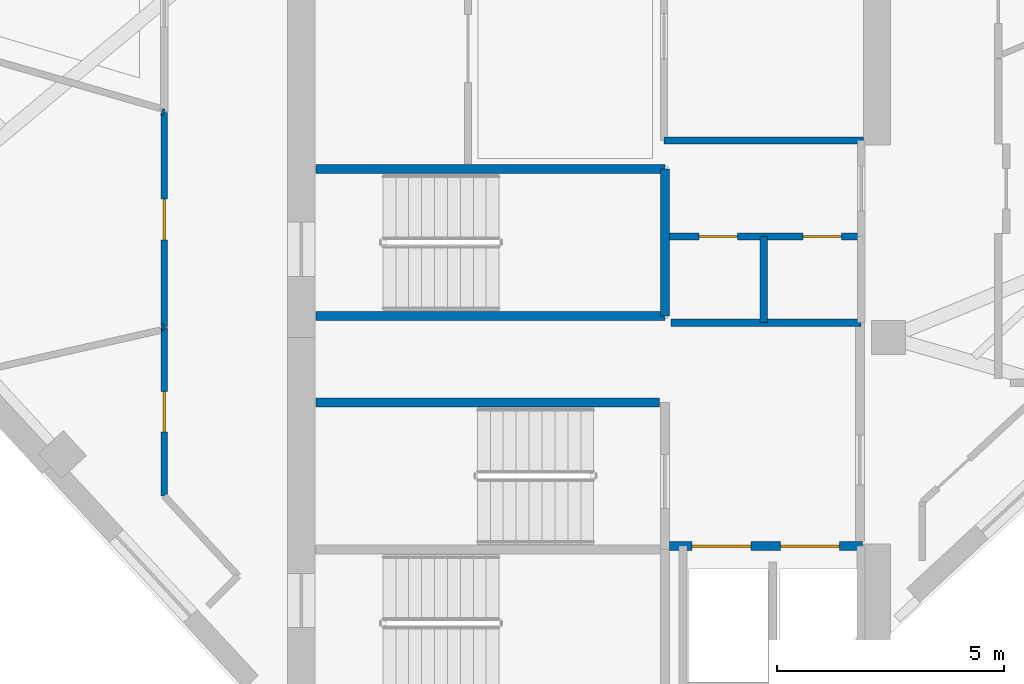
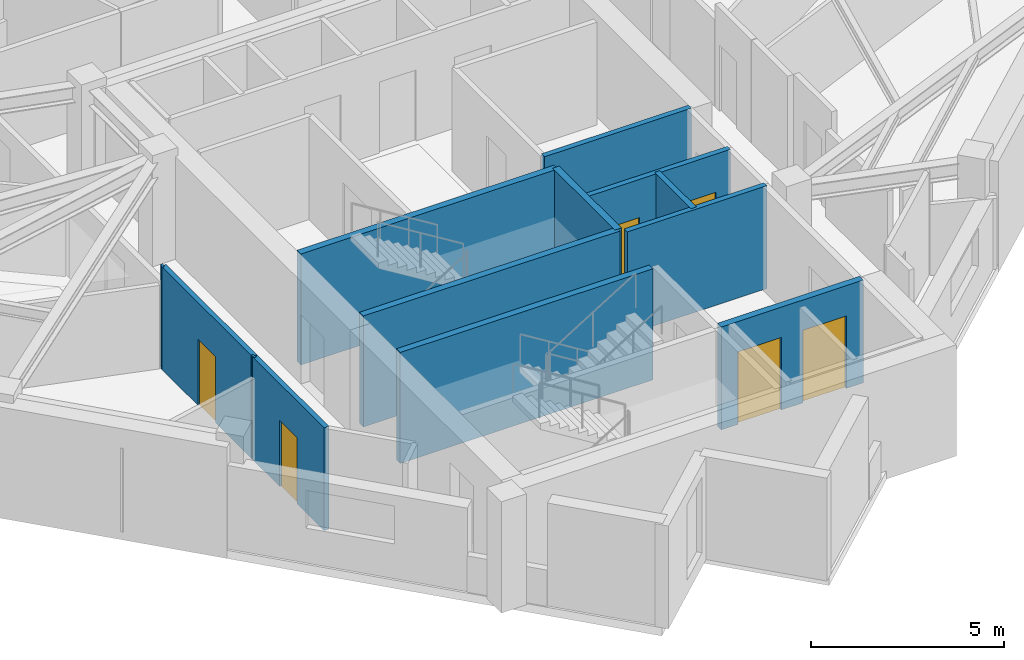
# One storey, part 8 of 13: 13 walls, 6 doors, 6 openings.
"""IFC4 building model written with IfcOpenShell, lengths in metres."""

from ifc_helpers import new_model, si_unit, direction, frame, frame_2d, origin, place, context, subcontext, project, spatial, rectangle, extrude, material, layer, layer_set, type_object, element, fill, save


model = new_model("IFC4")

# Units and contexts
model_context = context("Model", 3, precision=1e-05, world=origin(), true_north=direction((0.0, 1.0)))
body_context = subcontext(model_context, "Body", "Model", "MODEL_VIEW")
ifc_project = project(units=[si_unit("LENGTHUNIT", "METRE"), si_unit("AREAUNIT", "SQUARE_METRE"), si_unit("VOLUMEUNIT", "CUBIC_METRE"), si_unit("PLANEANGLEUNIT", "RADIAN"), si_unit("MASSUNIT", "GRAM", prefix="KILO")], contexts=[model_context])

# Site, building, storey
site_placement = place(None, origin())
site = spatial("IfcSite", under=ifc_project, at=site_placement, CompositionType="ELEMENT")
building_placement = place(site_placement, origin())
building = spatial("IfcBuilding", under=site, at=building_placement, Name="Narakoshi Arena Tower", CompositionType="ELEMENT")
storey_placement = place(building_placement, frame((0.0, 0.0, 281.860107421875)))
storey = spatial("IfcBuildingStorey", under=building, at=storey_placement, Name="L77", CompositionType="ELEMENT", Elevation=281.860107421875)

# Wall, openings, doors
ifc_material_1 = material(Name="Concrete C40/50", Category="concrete")
ifc_layer_1 = layer(ifc_material_1, 0.280029296875)
ifc_layer_set_1 = layer_set([ifc_layer_1], Name="Concrete C40/50")
wall_type_1 = type_object("IfcWallType", Name="WL-RISER-280", PredefinedType="PLUMBINGWALL", material=ifc_layer_set_1)
wall_1_placement = place(storey_placement, frame((80.719970703125, 45.580078125, 0.0), z_axis=(0.0, 0.0, 1.0), x_axis=(1.0, 0.0, 0.0)))
wall_1 = element("IfcWall", 1, at=wall_1_placement, inside=storey, type_object=wall_type_1, Name="L77 Core Wall RSR-N", PredefinedType="PLUMBINGWALL", context=body_context, shape_type="SweptSolid", body=[
    extrude(rectangle(XDim=4.22998046875, YDim=0.159912109375, at=frame_2d((2.114990234375, 0.0))), origin(), (0.0, 0.0, 1.0), 3.260009765625),
])
opening_1_placement = place(wall_1_placement, frame((0.64990234375, 0.0, 0.0)))
opening_1 = element("IfcOpeningElement", 2, at=opening_1_placement, cuts=wall_1, Name="Opening D-10", PredefinedType="OPENING", context=body_context, shape_type="SweptSolid", body=[
    extrude(rectangle(XDim=0.85009765625, YDim=2.050048828125, at=frame_2d((0.425048828125, 1.02490234375))), frame((0.0, 0.08984375, 0.0), z_axis=(0.0, -1.0, 0.0), x_axis=(1.0, 0.0, 0.0)), (0.0, 0.0, 1.0), 0.179931640625),
])
opening_2_placement = place(wall_1_placement, frame((2.949951171875, 0.0, 0.0)))
opening_2 = element("IfcOpeningElement", 3, at=opening_2_placement, cuts=wall_1, Name="Opening D-10", PredefinedType="OPENING", context=body_context, shape_type="SweptSolid", body=[
    extrude(rectangle(XDim=0.85009765625, YDim=2.050048828125, at=frame_2d((0.425048828125, 1.02490234375))), frame((0.0, 0.08984375, 0.0), z_axis=(0.0, -1.0, 0.0), x_axis=(1.0, 0.0, 0.0)), (0.0, 0.0, 1.0), 0.179931640625),
])
ifc_material_2 = material(Name="Painted galvanized steel", Category="steel")
door_type_1 = type_object("IfcDoorType", Name="DR-RSR-850", OperationType="NOTDEFINED", PredefinedType="DOOR", material=ifc_material_2)
door_1_placement = place(opening_1_placement, frame((0.85009765625, 0.0, 0.0), z_axis=(0.0, 0.0, 1.0), x_axis=(-1.0, 0.0, 0.0)))
door_1 = element("IfcDoor", 4, at=door_1_placement, inside=storey, type_object=door_type_1, Name="DR-L77-008", OperationType="SINGLE_SWING_LEFT", OverallHeight=2.050048828125, OverallWidth=0.85009765625, PredefinedType="DOOR", context=body_context, shape_type="SweptSolid", body=[
    extrude(rectangle(XDim=0.85009765625, YDim=2.050048828125, at=frame_2d((0.425048828125, 1.02490234375))), frame((0.0, 0.02490234375, 0.0), z_axis=(0.0, -1.0, 0.0), x_axis=(1.0, 0.0, 0.0)), (0.0, 0.0, 1.0), 0.050048828125),
])
fill(opening_1, door_1)
door_2_placement = place(opening_2_placement, frame((0.85009765625, 0.0, 0.0), z_axis=(0.0, 0.0, 1.0), x_axis=(-1.0, 0.0, 0.0)))
door_2 = element("IfcDoor", 5, at=door_2_placement, inside=storey, type_object=door_type_1, Name="DR-L77-009", OperationType="SINGLE_SWING_RIGHT", OverallHeight=2.050048828125, OverallWidth=0.85009765625, PredefinedType="DOOR", context=body_context, shape_type="SweptSolid", body=[
    extrude(rectangle(XDim=0.85009765625, YDim=2.050048828125, at=frame_2d((0.425048828125, 1.02490234375))), frame((0.0, 0.02490234375, 0.0), z_axis=(0.0, -1.0, 0.0), x_axis=(1.0, 0.0, 0.0)), (0.0, 0.0, 1.0), 0.050048828125),
])
fill(opening_2, door_2)

# Walls
wall_2_placement = place(storey_placement, frame((80.760009765625, 43.679931640625, 0.0), z_axis=(0.0, 0.0, 1.0), x_axis=(1.0, 0.0, 0.0)))
element("IfcWall", 6, at=wall_2_placement, inside=storey, type_object=wall_type_1, Name="L77 Core Wall RSR-S", PredefinedType="PLUMBINGWALL", context=body_context, shape_type="SweptSolid", body=[
    extrude(rectangle(XDim=4.18994140625, YDim=0.159912109375, at=frame_2d((2.094970703125, 0.0))), origin(), (0.0, 0.0, 1.0), 3.260009765625),
])
wall_3_placement = place(storey_placement, frame((82.800048828125, 43.679931640625, 0.0), z_axis=(0.0, 0.0, 1.0), x_axis=(0.0, 1.0, 0.0)))
element("IfcWall", 7, at=wall_3_placement, inside=storey, type_object=wall_type_1, Name="L77 Core Wall RSR-M", PredefinedType="PLUMBINGWALL", context=body_context, shape_type="SweptSolid", body=[
    extrude(rectangle(XDim=1.900146484375, YDim=0.159912109375, at=frame_2d((0.9501953125, 0.0))), origin(), (0.0, 0.0, 1.0), 3.260009765625),
])

# Wall, openings, doors
ifc_material_3 = material(Name="Concrete C50/60", Category="concrete")
ifc_layer_2 = layer(ifc_material_3, 0.35009765625)
ifc_layer_set_2 = layer_set([ifc_layer_2], Name="Concrete C50/60")
wall_type_2 = type_object("IfcWallType", Name="WL-SHAFT-350", PredefinedType="SOLIDWALL", material=ifc_layer_set_2)
wall_4_placement = place(storey_placement, frame((80.719970703125, 38.75, 0.0), z_axis=(0.0, 0.0, 1.0), x_axis=(1.0, 0.0, 0.0)))
wall_4 = element("IfcWall", 8, at=wall_4_placement, inside=storey, type_object=wall_type_2, Name="L77 Core Wall FF-N", PredefinedType="SOLIDWALL", context=body_context, shape_type="SweptSolid", body=[
    extrude(rectangle(XDim=4.260009765625, YDim=0.199951171875, at=frame_2d((2.1298828125, 0.0))), origin(), (0.0, 0.0, 1.0), 3.260009765625),
])
opening_3_placement = place(wall_4_placement, frame((0.5, 0.0, 0.0)))
opening_3 = element("IfcOpeningElement", 9, at=opening_3_placement, cuts=wall_4, Name="Opening LD-02", PredefinedType="OPENING", context=body_context, shape_type="SweptSolid", body=[
    extrude(rectangle(XDim=1.300048828125, YDim=2.300048828125, at=frame_2d((0.64990234375, 1.14990234375))), frame((0.0, 0.10986328125, 0.0), z_axis=(0.0, -1.0, 0.0), x_axis=(1.0, 0.0, 0.0)), (0.0, 0.0, 1.0), 0.219970703125),
])
opening_4_placement = place(wall_4_placement, frame((2.449951171875, 0.0, 0.0)))
opening_4 = element("IfcOpeningElement", 10, at=opening_4_placement, cuts=wall_4, Name="Opening LD-02", PredefinedType="OPENING", context=body_context, shape_type="SweptSolid", body=[
    extrude(rectangle(XDim=1.300048828125, YDim=2.300048828125, at=frame_2d((0.64990234375, 1.14990234375))), frame((0.0, 0.10986328125, 0.0), z_axis=(0.0, -1.0, 0.0), x_axis=(1.0, 0.0, 0.0)), (0.0, 0.0, 1.0), 0.219970703125),
])
ifc_material_4 = material(Name="Brushed bronze stainless steel", Category="steel")
door_type_2 = type_object("IfcDoorType", Name="DR-LFT-1300", OperationType="DOUBLE_DOOR_SLIDING", PredefinedType="DOOR", material=ifc_material_4)
door_3_placement = place(opening_3_placement, origin())
door_3 = element("IfcDoor", 11, at=door_3_placement, inside=storey, type_object=door_type_2, Name="DR-L77-003", OperationType="DOUBLE_DOOR_SLIDING", OverallHeight=2.300048828125, OverallWidth=1.300048828125, PredefinedType="DOOR", context=body_context, shape_type="SweptSolid", body=[
    extrude(rectangle(XDim=1.300048828125, YDim=2.300048828125, at=frame_2d((0.64990234375, 1.14990234375))), frame((0.0, 0.02490234375, 0.0), z_axis=(0.0, -1.0, 0.0), x_axis=(1.0, 0.0, 0.0)), (0.0, 0.0, 1.0), 0.050048828125),
])
fill(opening_3, door_3)
door_4_placement = place(opening_4_placement, origin())
door_4 = element("IfcDoor", 12, at=door_4_placement, inside=storey, type_object=door_type_2, Name="DR-L77-004", OperationType="DOUBLE_DOOR_SLIDING", OverallHeight=2.300048828125, OverallWidth=1.300048828125, PredefinedType="DOOR", context=body_context, shape_type="SweptSolid", body=[
    extrude(rectangle(XDim=1.300048828125, YDim=2.300048828125, at=frame_2d((0.64990234375, 1.14990234375))), frame((0.0, 0.02490234375, 0.0), z_axis=(0.0, -1.0, 0.0), x_axis=(1.0, 0.0, 0.0)), (0.0, 0.0, 1.0), 0.050048828125),
])
fill(opening_4, door_4)

# Walls
wall_5_placement = place(storey_placement, frame((72.919921875, 41.919921875, -0.260009765625), z_axis=(0.0, 0.0, 1.0), x_axis=(1.0, 0.0, 0.0)))
element("IfcWall", 13, at=wall_5_placement, inside=storey, type_object=wall_type_2, Name="L77 Core Wall ST2-N", PredefinedType="SOLIDWALL", context=body_context, shape_type="SweptSolid", body=[
    extrude(rectangle(XDim=7.580078125, YDim=0.199951171875, at=frame_2d((3.7900390625, 0.0))), origin(), (0.0, 0.0, 1.0), 3.52001953125),
])
for number, where, z_axis, x_axis, name in (
    (14, (72.919921875, 43.830078125, -0.260009765625), (0.0, 0.0, 1.0), (1.0, 0.0, 0.0), "L77 Core Wall ST3-S"),
    (15, (72.919921875, 47.070068359375, -0.260009765625), (0.0, 0.0, 1.0), (1.0, 0.0, 0.0), "L77 Core Wall ST3-N"),
):
    element("IfcWall", number, at=place(storey_placement, frame(where, z_axis=z_axis, x_axis=x_axis)), inside=storey, type_object=wall_type_2, Name=name, PredefinedType="SOLIDWALL", context=body_context, shape_type="SweptSolid", body=[
        extrude(rectangle(XDim=7.7001953125, YDim=0.199951171875, at=frame_2d((3.85009765625, 0.0))), origin(), (0.0, 0.0, 1.0), 3.52001953125),
    ])
wall_6_placement = place(storey_placement, frame((80.6201171875, 43.830078125, -0.260009765625), z_axis=(0.0, 0.0, 1.0), x_axis=(0.0, 1.0, 0.0)))
element("IfcWall", 16, at=wall_6_placement, inside=storey, type_object=wall_type_2, Name="L77 Core Wall ST3-E", PredefinedType="SOLIDWALL", context=body_context, shape_type="SweptSolid", body=[
    extrude(rectangle(XDim=3.239990234375, YDim=0.199951171875, at=frame_2d((1.6201171875, 0.0))), origin(), (0.0, 0.0, 1.0), 3.52001953125),
])
wall_7_placement = place(storey_placement, frame((80.60009765625, 47.699951171875, 0.0), z_axis=(0.0, 0.0, 1.0), x_axis=(1.0, 0.0, 0.0)))
element("IfcWall", 17, at=wall_7_placement, inside=storey, type_object=wall_type_2, Name="L77 Core Wall MR-S", PredefinedType="SOLIDWALL", context=body_context, shape_type="SweptSolid", body=[
    extrude(rectangle(XDim=4.39990234375, YDim=0.159912109375, at=frame_2d((2.199951171875, 0.0))), origin(), (0.0, 0.0, 1.0), 3.260009765625),
])

# Wall, opening, door
ifc_material_5 = material(Name="Moisture-resistant cement-board partition")
ifc_layer_3 = layer(ifc_material_5, 0.14501953125)
ifc_layer_set_3 = layer_set([ifc_layer_3], Name="Moisture-resistant cement-board partition")
wall_type_3 = type_object("IfcWallType", Name="WL-WET-145", PredefinedType="PARTITIONING", material=ifc_layer_set_3)
wall_8_placement = place(storey_placement, frame((69.577880859375, 43.568603515625, 0.0), z_axis=(0.0, 0.0, 1.0), x_axis=(0.0, -1.0, 0.0)))
wall_8 = element("IfcWall", 18, at=wall_8_placement, inside=storey, type_object=wall_type_3, Name="L77 Corridor Partition 01-1", PredefinedType="PARTITIONING", context=body_context, shape_type="SweptSolid", body=[
    extrude(rectangle(XDim=3.712158203125, YDim=0.14501953125, at=frame_2d((1.85595703125, 0.0))), origin(), (0.0, 0.0, 1.0), 3.260009765625),
])
opening_5_placement = place(wall_8_placement, frame((1.406005859375, 0.0, 0.0)))
opening_5 = element("IfcOpeningElement", 19, at=opening_5_placement, cuts=wall_8, Name="Opening D-08", PredefinedType="OPENING", context=body_context, shape_type="SweptSolid", body=[
    extrude(rectangle(XDim=0.89990234375, YDim=2.10009765625, at=frame_2d((0.449951171875, 1.050048828125))), frame((0.0, 0.08251953125, 0.0), z_axis=(0.0, -1.0, 0.0), x_axis=(1.0, 0.0, 0.0)), (0.0, 0.0, 1.0), 0.1650390625),
])
ifc_material_6 = material(Name="Moisture-resistant laminate timber", Category="wood")
door_type_3 = type_object("IfcDoorType", Name="DR-WC-900", OperationType="NOTDEFINED", PredefinedType="DOOR", material=ifc_material_6)
door_5_placement = place(opening_5_placement, frame((0.89990234375, 0.0, 0.0), z_axis=(0.0, 0.0, 1.0), x_axis=(-1.0, 0.0, 0.0)))
door_5 = element("IfcDoor", 20, at=door_5_placement, inside=storey, type_object=door_type_3, Name="DR-L77-015", OperationType="SINGLE_SWING_RIGHT", OverallHeight=2.10009765625, OverallWidth=0.89990234375, PredefinedType="DOOR", context=body_context, shape_type="SweptSolid", body=[
    extrude(rectangle(XDim=0.89990234375, YDim=2.10009765625, at=frame_2d((0.449951171875, 1.050048828125))), frame((0.0, 0.02490234375, 0.0), z_axis=(0.0, -1.0, 0.0), x_axis=(1.0, 0.0, 0.0)), (0.0, 0.0, 1.0), 0.050048828125),
])
fill(opening_5, door_5)

wall_9_placement = place(storey_placement, frame((69.577880859375, 48.31689453125, 0.0), z_axis=(0.0, 0.0, 1.0), x_axis=(0.0, -1.0, 0.0)))
wall_9 = element("IfcWall", 21, at=wall_9_placement, inside=storey, type_object=wall_type_3, Name="L77 Corridor Partition 09-1", PredefinedType="PARTITIONING", context=body_context, shape_type="SweptSolid", body=[
    extrude(rectangle(XDim=4.723876953125, YDim=0.14501953125, at=frame_2d((2.36181640625, 0.0))), origin(), (0.0, 0.0, 1.0), 3.260009765625),
])
opening_6_placement = place(wall_9_placement, frame((1.912109375, 0.0, 0.0)))
opening_6 = element("IfcOpeningElement", 22, at=opening_6_placement, cuts=wall_9, Name="Opening D-08", PredefinedType="OPENING", context=body_context, shape_type="SweptSolid", body=[
    extrude(rectangle(XDim=0.89990234375, YDim=2.10009765625, at=frame_2d((0.449951171875, 1.050048828125))), frame((0.0, 0.08251953125, 0.0), z_axis=(0.0, -1.0, 0.0), x_axis=(1.0, 0.0, 0.0)), (0.0, 0.0, 1.0), 0.1650390625),
])
door_6_placement = place(opening_6_placement, frame((0.89990234375, 0.0, 0.0), z_axis=(0.0, 0.0, 1.0), x_axis=(-1.0, 0.0, 0.0)))
door_6 = element("IfcDoor", 23, at=door_6_placement, inside=storey, type_object=door_type_3, Name="DR-L77-023", OperationType="SINGLE_SWING_RIGHT", OverallHeight=2.10009765625, OverallWidth=0.89990234375, PredefinedType="DOOR", context=body_context, shape_type="SweptSolid", body=[
    extrude(rectangle(XDim=0.89990234375, YDim=2.10009765625, at=frame_2d((0.449951171875, 1.050048828125))), frame((0.0, 0.02490234375, 0.0), z_axis=(0.0, -1.0, 0.0), x_axis=(1.0, 0.0, 0.0)), (0.0, 0.0, 1.0), 0.050048828125),
])
fill(opening_6, door_6)

# Walls
wall_10_placement = place(storey_placement, frame((69.517822265625, 48.334716796875, 0.0), z_axis=(0.0, 0.0, 1.0), x_axis=(0.95868008586, -0.284486366942, 0.0)))
element("IfcWall", 24, at=wall_10_placement, inside=storey, type_object=wall_type_3, Name="L77 Corridor Partition 09-2", PredefinedType="PARTITIONING", context=body_context, shape_type="SweptSolid", body=[
    extrude(rectangle(XDim=0.062744140625, YDim=0.14501953125, at=frame_2d((0.03125, 0.0))), origin(), (0.0, 0.0, 1.0), 3.260009765625),
])
wall_11_placement = place(storey_placement, frame((69.577880859375, 43.593017578125, 0.0), z_axis=(0.0, 0.0, 1.0), x_axis=(-0.977569195393, -0.210614501446, 0.0)))
element("IfcWall", 25, at=wall_11_placement, inside=storey, type_object=wall_type_3, Name="L77 Corridor Partition 09-3", PredefinedType="PARTITIONING", context=body_context, shape_type="SweptSolid", body=[
    extrude(rectangle(XDim=0.0615234375, YDim=0.14501953125, at=frame_2d((0.03076171875, 0.0))), origin(), (0.0, 0.0, 1.0), 3.260009765625),
])

save(model, "model.ifc")
